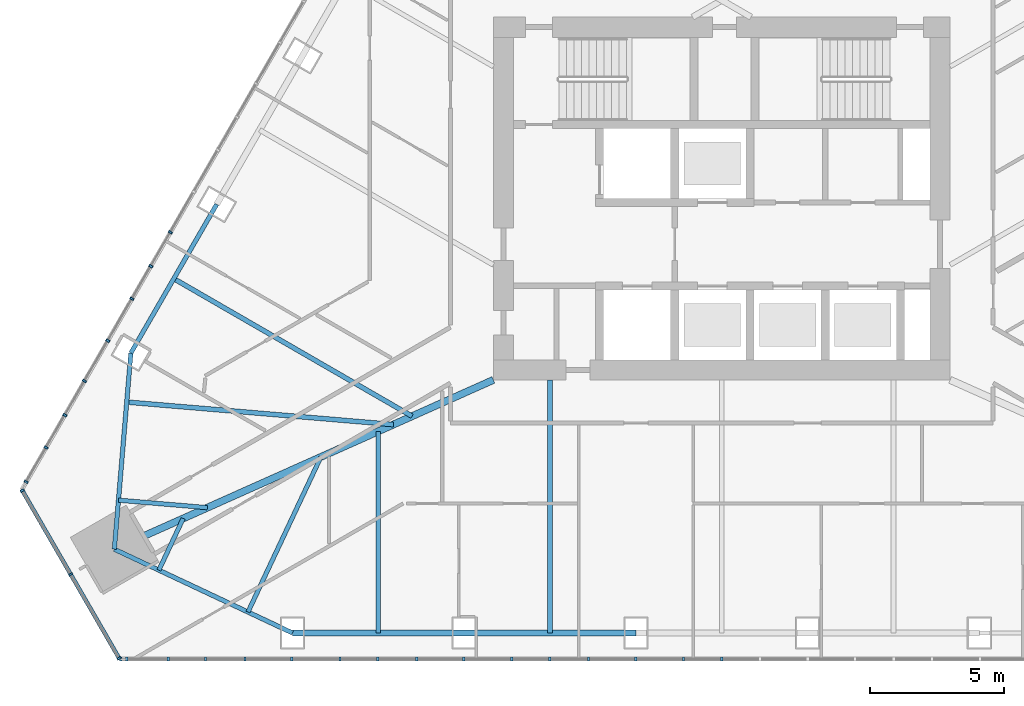
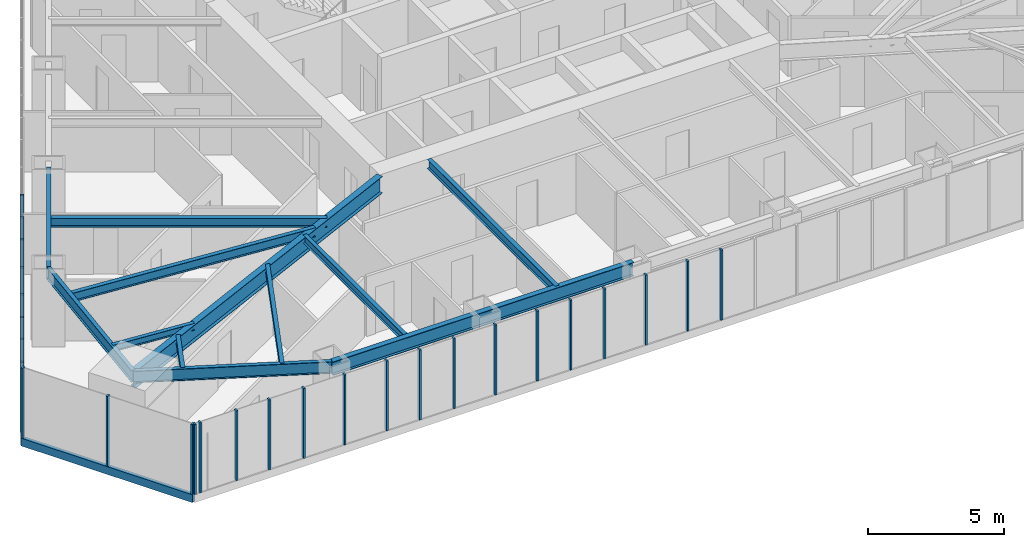
# One storey, part 2 of 21: 28 members, 12 beams, 3 elements without a shape of their own.
"""IFC4 building model written with IfcOpenShell, lengths in metres."""

import ifcopenshell
import ifcopenshell.guid

model = None  # the IFC model being written
_history = None  # IfcOwnerHistory: only IFC2X3 demands one
_inside = {}  # id of a spatial element -> (the spatial element, [elements in it])
_under = {}  # id of a project, library or spatial element -> (it, [spatial elements below it])
_declared = {}  # id of a project -> (the project, [libraries it declares])
_typed = {}  # id of a type object -> (the type object, [elements of that type])
_made_of = {}  # id of a material, layer set ... -> (it, [elements and type objects made of it])


def new_model(schema):
    """Start an empty IFC model of exactly this schema.

    Asked for "IFC4X3", IfcOpenShell would pick the latest addendum, in which some entities
    have other attributes; the version numbers below select the first issue.
    IFC2X3 requires an IfcOwnerHistory on every rooted entity: one is made here for all.
    """
    global model, _history
    if schema == "IFC4X3":
        model = ifcopenshell.file(schema_version=(4, 3, 0, 0))
    else:
        model = ifcopenshell.file(schema=schema)
    _inside.clear()
    _under.clear()
    _declared.clear()
    _typed.clear()
    _made_of.clear()
    _history = None
    if model.schema == "IFC2X3":
        org = make("IfcOrganization", Name="unknown")
        user = make(
            "IfcPersonAndOrganization",
            ThePerson=make("IfcPerson", FamilyName="unknown"),
            TheOrganization=org,
        )
        app = make(
            "IfcApplication",
            ApplicationDeveloper=org,
            Version="unknown",
            ApplicationFullName="unknown",
            ApplicationIdentifier="unknown",
        )
        _history = make(
            "IfcOwnerHistory",
            OwningUser=user,
            OwningApplication=app,
            ChangeAction="ADDED",
            CreationDate=0,
        )
    return model


def make(cls, **values):
    """One entity of the class cls with the attributes given. An attribute that is None is left unset."""
    return model.create_entity(
        cls, **{name: value for name, value in values.items() if value is not None}
    )


def rooted(cls, **values):
    """An entity with a GlobalId (a new one), such as an element, a storey or a relation."""
    return make(cls, GlobalId=ifcopenshell.guid.new(), OwnerHistory=_history, **values)


def si_unit(unit_type, name, prefix=None):
    """IfcSIUnit, for example si_unit("LENGTHUNIT", "METRE", prefix="MILLI")."""
    return make("IfcSIUnit", UnitType=unit_type, Prefix=prefix, Name=name)


def assignment(units):
    """IfcUnitAssignment: the units of a project."""
    return None if units is None else make("IfcUnitAssignment", Units=units)


def point(xyz):
    """IfcCartesianPoint."""
    return None if xyz is None else make("IfcCartesianPoint", Coordinates=xyz)


def direction(xyz):
    """IfcDirection."""
    return None if xyz is None else make("IfcDirection", DirectionRatios=xyz)


def frame(location, z_axis=None, x_axis=None):
    """IfcAxis2Placement3D, a coordinate frame: its origin and axes. An axis left out is left unset."""
    return make(
        "IfcAxis2Placement3D",
        Location=point(location),
        Axis=direction(z_axis),
        RefDirection=direction(x_axis),
    )


def frame_2d(location, x_axis=None):
    """IfcAxis2Placement2D, a coordinate frame in the plane: its origin and x axis."""
    return make(
        "IfcAxis2Placement2D", Location=point(location), RefDirection=direction(x_axis)
    )


def origin():
    """The frame at (0, 0, 0) with its axes left unset."""
    return frame((0.0, 0.0, 0.0))


def origin_2d():
    """The frame at (0, 0) in the plane with its x axis left unset."""
    return frame_2d((0.0, 0.0))


def place(relative_to, where):
    """IfcLocalPlacement: puts the frame where relative to a parent placement (None: the world)."""
    return make(
        "IfcLocalPlacement", PlacementRelTo=relative_to, RelativePlacement=where
    )


def context(
    kind, dimensions, precision=None, world=None, true_north=None, identifier=None
):
    """IfcGeometricRepresentationContext, for example the 3D "Model" context."""
    return make(
        "IfcGeometricRepresentationContext",
        ContextIdentifier=identifier,
        ContextType=kind,
        CoordinateSpaceDimension=dimensions,
        Precision=precision,
        WorldCoordinateSystem=world,
        TrueNorth=true_north,
    )


def subcontext(parent, identifier, kind, view, scale=None):
    """IfcGeometricRepresentationSubContext, for example "Body" below "Model"."""
    return make(
        "IfcGeometricRepresentationSubContext",
        ContextIdentifier=identifier,
        ContextType=kind,
        ParentContext=parent,
        TargetScale=scale,
        TargetView=view,
    )


def project(units=None, contexts=None):
    """IfcProject with its units and contexts."""
    return rooted(
        "IfcProject",
        Name="project",
        RepresentationContexts=contexts,
        UnitsInContext=assignment(units),
    )


def spatial(cls, under=None, at=None, **own):
    """A site, building, storey or space (cls), placed at a placement, below another one or the project."""
    s = rooted(cls, ObjectPlacement=at, **own)
    if under is not None:
        _under.setdefault(under.id(), (under, []))[1].append(s)
    return s


def profile(cls, at=None, kind="AREA", **sizes):
    """A parametric profile (cls). Its sizes go by their IFC names, for example OverallWidth=200.0."""
    return make(cls, ProfileType=kind, Position=at, **sizes)


def rectangle(**sizes):
    """IfcRectangleProfileDef."""
    return profile("IfcRectangleProfileDef", **sizes)


def i_section(**sizes):
    """IfcIShapeProfileDef."""
    return profile("IfcIShapeProfileDef", **sizes)


def extrude(swept, where, along, depth):
    """IfcExtrudedAreaSolid: the profile swept, set in the frame where, extruded along a direction by depth."""
    return make(
        "IfcExtrudedAreaSolid",
        SweptArea=swept,
        Position=where,
        ExtrudedDirection=direction(along),
        Depth=depth,
    )


def shape(context_of_items, identifier, shape_type, items):
    """IfcShapeRepresentation: the items that make up one representation, for example the "Body"."""
    return make(
        "IfcShapeRepresentation",
        ContextOfItems=context_of_items,
        RepresentationIdentifier=identifier,
        RepresentationType=shape_type,
        Items=items,
    )


def material(Name=None, Category=None):
    """IfcMaterial."""
    return make("IfcMaterial", Name=Name, Category=Category)


def layer(
    of_material, thickness, ventilated=None, Name=None, Category=None, Priority=None
):
    """IfcMaterialLayer: one layer of a wall or slab, of a material (None: an air gap)."""
    return make(
        "IfcMaterialLayer",
        Material=of_material,
        LayerThickness=thickness,
        IsVentilated=ventilated,
        Name=Name,
        Category=Category,
        Priority=Priority,
    )


def layer_set(layers, Name=None):
    """IfcMaterialLayerSet."""
    return make("IfcMaterialLayerSet", MaterialLayers=layers, LayerSetName=Name)


def material_profile(
    of_material, cross_section, Name=None, Category=None, Priority=None
):
    """IfcMaterialProfile: a cross section and its material."""
    return make(
        "IfcMaterialProfile",
        Name=Name,
        Material=of_material,
        Profile=cross_section,
        Priority=Priority,
        Category=Category,
    )


def profile_set(profiles, Name=None, composite=None):
    """IfcMaterialProfileSet."""
    return make(
        "IfcMaterialProfileSet",
        Name=Name,
        MaterialProfiles=profiles,
        CompositeProfile=composite,
    )


def made_of(thing, what):
    """Note that an element or type object is made of a material, layer set ...; save() writes the relation."""
    if what is not None:
        _made_of.setdefault(what.id(), (what, []))[1].append(thing)
    return thing


def type_object(cls, material=None, **own):
    """A type object (cls), such as IfcWallType, which elements share."""
    return made_of(rooted(cls, **own), material)


def element(
    cls,
    number,
    at=None,
    inside=None,
    cuts=None,
    type_object=None,
    material=None,
    context=None,
    identifier="Body",
    shape_type=None,
    held_by="IfcProductDefinitionShape",
    body=None,
    shapes=None,
    **own,
):
    """One element of the class cls, such as IfcWall. Its Tag is "e" and its number.

    at: its placement. inside: the storey or other place that contains it. cuts: it is an
    opening in that element (IfcRelVoidsElement). A single representation is given by context,
    identifier, shape_type and body (its items); several are given by shapes. held_by: the class
    of the entity that holds the representations. save() writes the other relations.
    """
    e = rooted(cls, Tag="e%d" % number, ObjectPlacement=at, **own)
    if body is not None:
        shapes = [shape(context, identifier, shape_type, body)]
    if shapes is not None:
        e.Representation = make(held_by, Representations=shapes)
    if inside is not None:
        _inside.setdefault(inside.id(), (inside, []))[1].append(e)
    if cuts is not None:
        rooted(
            "IfcRelVoidsElement", RelatingBuildingElement=cuts, RelatedOpeningElement=e
        )
    if type_object is not None:
        _typed.setdefault(type_object.id(), (type_object, []))[1].append(e)
    return made_of(e, material)


def aggregate(whole, parts):
    """IfcRelAggregates: a whole, such as a stair, and the parts it consists of."""
    return rooted("IfcRelAggregates", RelatingObject=whole, RelatedObjects=parts)


def save(model, path):
    """Write the relations noted so far, then the file.

    IfcRelAggregates (storeys below a building ...), IfcRelContainedInSpatialStructure (elements
    in a storey), IfcRelDefinesByType, IfcRelAssociatesMaterial and IfcRelDeclares: one each for
    every whole, place, type object, material and project.
    """
    for whole, parts in _under.values():
        aggregate(whole, parts)
    for where, things in _inside.values():
        rooted(
            "IfcRelContainedInSpatialStructure",
            RelatedElements=things,
            RelatingStructure=where,
        )
    for kind, things in _typed.values():
        rooted("IfcRelDefinesByType", RelatedObjects=things, RelatingType=kind)
    for what, things in _made_of.values():
        rooted("IfcRelAssociatesMaterial", RelatedObjects=things, RelatingMaterial=what)
    for by, libraries in _declared.values():
        rooted("IfcRelDeclares", RelatingContext=by, RelatedDefinitions=libraries)
    model.write(path)


model = new_model("IFC4")

# Units and contexts
model_context = context("Model", 3, precision=1e-05, world=origin(), true_north=direction((0.0, 1.0)))
body_context = subcontext(model_context, "Body", "Model", "MODEL_VIEW")
ifc_project = project(units=[si_unit("LENGTHUNIT", "METRE"), si_unit("AREAUNIT", "SQUARE_METRE"), si_unit("VOLUMEUNIT", "CUBIC_METRE"), si_unit("PLANEANGLEUNIT", "RADIAN"), si_unit("MASSUNIT", "GRAM", prefix="KILO")], contexts=[model_context])

# Site, building, storey
site_placement = place(None, origin())
site = spatial("IfcSite", under=ifc_project, at=site_placement, CompositionType="ELEMENT")
building_placement = place(site_placement, origin())
building = spatial("IfcBuilding", under=site, at=building_placement, Name="Firuza Gate Tower and Library", CompositionType="ELEMENT")
storey_placement = place(building_placement, frame((0.0, 0.0, 284.60009765625)))
storey = spatial("IfcBuildingStorey", under=building, at=storey_placement, Name="L68", CompositionType="ELEMENT", Elevation=284.60009765625)

# Curtain wall, members
ifc_material_1 = material(Name="Aluminium 6063-T6", Category="aluminium")
ifc_layer_1 = layer(ifc_material_1, 0.14990234375)
ifc_layer_set_1 = layer_set([ifc_layer_1], Name="Unitised curtain wall, residences")
curtain_wall_type_1 = type_object("IfcCurtainWallType", Name="Unitised curtain wall, residences", PredefinedType="NOTDEFINED", material=ifc_layer_set_1)
placement = place(storey_placement, origin())
curtain_wall_1 = element("IfcCurtainWall", 1, at=placement, inside=storey, type_object=curtain_wall_type_1, Name="CW3 L68 S face", PredefinedType="NOTDEFINED")
ifc_material_2 = material(Name="Aluminium 6063-T6", Category="aluminium")
ifc_material_profile_1 = material_profile(ifc_material_2, rectangle(XDim=0.14990234375, YDim=0.080078125, at=origin_2d()))
ifc_profile_set_1 = profile_set([ifc_material_profile_1], Name="Aluminium 6063-T6")
member_type_1 = type_object("IfcMemberType", Name="Curtain wall mullion 80x150", PredefinedType="MULLION", material=ifc_profile_set_1)
member_1_placement = place(storey_placement, frame((52.634033203125, 57.85693359375, 0.14990234375), z_axis=(0.0, 0.0, 1.0), x_axis=(0.0, 1.0, 0.0)))
member_1 = element("IfcMember", 2, at=member_1_placement, type_object=member_type_1, Name="Mullion", PredefinedType="MULLION", context=body_context, shape_type="SweptSolid", body=[
    extrude(rectangle(XDim=0.14990234375, YDim=0.080078125, at=origin_2d()), origin(), (0.0, 0.0, 1.0), 3.14990234375),
])
member_2_placement = place(storey_placement, frame((55.794921875, 57.85693359375, 0.14990234375), z_axis=(0.0, 0.0, 1.0), x_axis=(0.0, 1.0, 0.0)))
member_2 = element("IfcMember", 3, at=member_2_placement, type_object=member_type_1, Name="Mullion", PredefinedType="MULLION", context=body_context, shape_type="SweptSolid", body=[
    extrude(rectangle(XDim=0.14990234375, YDim=0.080078125, at=origin_2d()), origin(), (0.0, 0.0, 1.0), 3.14990234375),
])
member_3_placement = place(storey_placement, frame((58.995849609375, 57.85693359375, 0.14990234375), z_axis=(0.0, 0.0, 1.0), x_axis=(0.0, 1.0, 0.0)))
member_3 = element("IfcMember", 4, at=member_3_placement, type_object=member_type_1, Name="Mullion", PredefinedType="MULLION", context=body_context, shape_type="SweptSolid", body=[
    extrude(rectangle(XDim=0.14990234375, YDim=0.080078125, at=origin_2d()), origin(), (0.0, 0.0, 1.0), 3.14990234375),
])
member_4_placement = place(storey_placement, frame((62.196533203125, 57.85693359375, 0.14990234375), z_axis=(0.0, 0.0, 1.0), x_axis=(0.0, 1.0, 0.0)))
member_4 = element("IfcMember", 5, at=member_4_placement, type_object=member_type_1, Name="Mullion", PredefinedType="MULLION", context=body_context, shape_type="SweptSolid", body=[
    extrude(rectangle(XDim=0.14990234375, YDim=0.080078125, at=origin_2d()), origin(), (0.0, 0.0, 1.0), 3.14990234375),
])
member_5_placement = place(storey_placement, frame((65.3974609375, 57.85693359375, 0.14990234375), z_axis=(0.0, 0.0, 1.0), x_axis=(0.0, 1.0, 0.0)))
member_5 = element("IfcMember", 6, at=member_5_placement, type_object=member_type_1, Name="Mullion", PredefinedType="MULLION", context=body_context, shape_type="SweptSolid", body=[
    extrude(rectangle(XDim=0.14990234375, YDim=0.080078125, at=origin_2d()), origin(), (0.0, 0.0, 1.0), 3.14990234375),
])
member_6_placement = place(storey_placement, frame((68.598388671875, 57.85693359375, 0.14990234375), z_axis=(0.0, 0.0, 1.0), x_axis=(0.0, 1.0, 0.0)))
member_6 = element("IfcMember", 7, at=member_6_placement, type_object=member_type_1, Name="Mullion", PredefinedType="MULLION", context=body_context, shape_type="SweptSolid", body=[
    extrude(rectangle(XDim=0.14990234375, YDim=0.080078125, at=origin_2d()), origin(), (0.0, 0.0, 1.0), 3.14990234375),
])
member_7_placement = place(storey_placement, frame((71.799072265625, 57.85693359375, 0.14990234375), z_axis=(0.0, 0.0, 1.0), x_axis=(0.0, 1.0, 0.0)))
member_7 = element("IfcMember", 8, at=member_7_placement, type_object=member_type_1, Name="Mullion", PredefinedType="MULLION", context=body_context, shape_type="SweptSolid", body=[
    extrude(rectangle(XDim=0.14990234375, YDim=0.080078125, at=origin_2d()), origin(), (0.0, 0.0, 1.0), 3.14990234375),
])
member_8_placement = place(storey_placement, frame((75.0, 57.85693359375, 0.14990234375), z_axis=(0.0, 0.0, 1.0), x_axis=(0.0, 1.0, 0.0)))
member_8 = element("IfcMember", 9, at=member_8_placement, type_object=member_type_1, Name="Mullion", PredefinedType="MULLION", context=body_context, shape_type="SweptSolid", body=[
    extrude(rectangle(XDim=0.14990234375, YDim=0.080078125, at=origin_2d()), origin(), (0.0, 0.0, 1.0), 3.14990234375),
])
member_9_placement = place(storey_placement, frame((52.860107421875, 57.85693359375, 0.14990234375), z_axis=(0.0, 0.0, 1.0), x_axis=(0.0, 1.0, 0.0)))
member_9 = element("IfcMember", 10, at=member_9_placement, type_object=member_type_1, Name="Mullion", PredefinedType="MULLION", context=body_context, shape_type="SweptSolid", body=[
    extrude(rectangle(XDim=0.14990234375, YDim=0.080078125, at=origin_2d()), origin(), (0.0, 0.0, 1.0), 3.14990234375),
])
member_10_placement = place(storey_placement, frame((54.403564453125, 57.85693359375, 0.14990234375), z_axis=(0.0, 0.0, 1.0), x_axis=(0.0, 1.0, 0.0)))
member_10 = element("IfcMember", 11, at=member_10_placement, type_object=member_type_1, Name="Mullion", PredefinedType="MULLION", context=body_context, shape_type="SweptSolid", body=[
    extrude(rectangle(XDim=0.14990234375, YDim=0.080078125, at=origin_2d()), origin(), (0.0, 0.0, 1.0), 3.14990234375),
])
member_11_placement = place(storey_placement, frame((57.26025390625, 57.85693359375, 0.14990234375), z_axis=(0.0, 0.0, 1.0), x_axis=(0.0, 1.0, 0.0)))
member_11 = element("IfcMember", 12, at=member_11_placement, type_object=member_type_1, Name="Mullion", PredefinedType="MULLION", context=body_context, shape_type="SweptSolid", body=[
    extrude(rectangle(XDim=0.14990234375, YDim=0.080078125, at=origin_2d()), origin(), (0.0, 0.0, 1.0), 3.14990234375),
])
member_12_placement = place(storey_placement, frame((60.79296875, 57.85693359375, 0.14990234375), z_axis=(0.0, 0.0, 1.0), x_axis=(0.0, 1.0, 0.0)))
member_12 = element("IfcMember", 13, at=member_12_placement, type_object=member_type_1, Name="Mullion", PredefinedType="MULLION", context=body_context, shape_type="SweptSolid", body=[
    extrude(rectangle(XDim=0.14990234375, YDim=0.080078125, at=origin_2d()), origin(), (0.0, 0.0, 1.0), 3.14990234375),
])
member_13_placement = place(storey_placement, frame((63.649658203125, 57.85693359375, 0.14990234375), z_axis=(0.0, 0.0, 1.0), x_axis=(0.0, 1.0, 0.0)))
member_13 = element("IfcMember", 14, at=member_13_placement, type_object=member_type_1, Name="Mullion", PredefinedType="MULLION", context=body_context, shape_type="SweptSolid", body=[
    extrude(rectangle(XDim=0.14990234375, YDim=0.080078125, at=origin_2d()), origin(), (0.0, 0.0, 1.0), 3.14990234375),
])
member_14_placement = place(storey_placement, frame((67.182373046875, 57.85693359375, 0.14990234375), z_axis=(0.0, 0.0, 1.0), x_axis=(0.0, 1.0, 0.0)))
member_14 = element("IfcMember", 15, at=member_14_placement, type_object=member_type_1, Name="Mullion", PredefinedType="MULLION", context=body_context, shape_type="SweptSolid", body=[
    extrude(rectangle(XDim=0.14990234375, YDim=0.080078125, at=origin_2d()), origin(), (0.0, 0.0, 1.0), 3.14990234375),
])
member_15_placement = place(storey_placement, frame((70.0390625, 57.85693359375, 0.14990234375), z_axis=(0.0, 0.0, 1.0), x_axis=(0.0, 1.0, 0.0)))
member_15 = element("IfcMember", 16, at=member_15_placement, type_object=member_type_1, Name="Mullion", PredefinedType="MULLION", context=body_context, shape_type="SweptSolid", body=[
    extrude(rectangle(XDim=0.14990234375, YDim=0.080078125, at=origin_2d()), origin(), (0.0, 0.0, 1.0), 3.14990234375),
])
member_16_placement = place(storey_placement, frame((73.57177734375, 57.85693359375, 0.14990234375), z_axis=(0.0, 0.0, 1.0), x_axis=(0.0, 1.0, 0.0)))
member_16 = element("IfcMember", 17, at=member_16_placement, type_object=member_type_1, Name="Mullion", PredefinedType="MULLION", context=body_context, shape_type="SweptSolid", body=[
    extrude(rectangle(XDim=0.14990234375, YDim=0.080078125, at=origin_2d()), origin(), (0.0, 0.0, 1.0), 3.14990234375),
])
aggregate(curtain_wall_1, [member_1, member_2, member_3, member_4, member_5, member_6, member_7, member_8, member_9, member_10, member_11, member_12, member_13, member_14, member_15, member_16])

curtain_wall_2 = element("IfcCurtainWall", 18, at=placement, inside=storey, type_object=curtain_wall_type_1, Name="CW3 L68 W face", PredefinedType="NOTDEFINED")
member_17_placement = place(storey_placement, frame((53.751953125, 72.4833984375, 0.14990234375), z_axis=(0.0, 0.0, 1.0), x_axis=(0.866025403784, -0.5, 0.0)))
member_17 = element("IfcMember", 19, at=member_17_placement, type_object=member_type_1, Name="Mullion", PredefinedType="MULLION", context=body_context, shape_type="SweptSolid", body=[
    extrude(rectangle(XDim=0.14990234375, YDim=0.080078125, at=origin_2d()), origin(), (0.0, 0.0, 1.0), 3.14990234375),
])
member_18_placement = place(storey_placement, frame((52.151611328125, 69.71142578125, 0.14990234375), z_axis=(0.0, 0.0, 1.0), x_axis=(0.866025403784, -0.5, 0.0)))
member_18 = element("IfcMember", 20, at=member_18_placement, type_object=member_type_1, Name="Mullion", PredefinedType="MULLION", context=body_context, shape_type="SweptSolid", body=[
    extrude(rectangle(XDim=0.14990234375, YDim=0.080078125, at=origin_2d()), origin(), (0.0, 0.0, 1.0), 3.14990234375),
])
member_19_placement = place(storey_placement, frame((50.55126953125, 66.939453125, 0.14990234375), z_axis=(0.0, 0.0, 1.0), x_axis=(0.866025403784, -0.5, 0.0)))
member_19 = element("IfcMember", 21, at=member_19_placement, type_object=member_type_1, Name="Mullion", PredefinedType="MULLION", context=body_context, shape_type="SweptSolid", body=[
    extrude(rectangle(XDim=0.14990234375, YDim=0.080078125, at=origin_2d()), origin(), (0.0, 0.0, 1.0), 3.14990234375),
])
member_20_placement = place(storey_placement, frame((54.478515625, 73.74169921875, 0.14990234375), z_axis=(0.0, 0.0, 1.0), x_axis=(0.866025403784, -0.5, 0.0)))
member_20 = element("IfcMember", 22, at=member_20_placement, type_object=member_type_1, Name="Mullion", PredefinedType="MULLION", context=body_context, shape_type="SweptSolid", body=[
    extrude(rectangle(XDim=0.14990234375, YDim=0.080078125, at=origin_2d()), origin(), (0.0, 0.0, 1.0), 3.14990234375),
])
member_21_placement = place(storey_placement, frame((53.05029296875, 71.267822265625, 0.14990234375), z_axis=(0.0, 0.0, 1.0), x_axis=(0.866025403784, -0.5, 0.0)))
member_21 = element("IfcMember", 23, at=member_21_placement, type_object=member_type_1, Name="Mullion", PredefinedType="MULLION", context=body_context, shape_type="SweptSolid", body=[
    extrude(rectangle(XDim=0.14990234375, YDim=0.080078125, at=origin_2d()), origin(), (0.0, 0.0, 1.0), 3.14990234375),
])
member_22_placement = place(storey_placement, frame((51.283935546875, 68.20849609375, 0.14990234375), z_axis=(0.0, 0.0, 1.0), x_axis=(0.866025403784, -0.5, 0.0)))
member_22 = element("IfcMember", 24, at=member_22_placement, type_object=member_type_1, Name="Mullion", PredefinedType="MULLION", context=body_context, shape_type="SweptSolid", body=[
    extrude(rectangle(XDim=0.14990234375, YDim=0.080078125, at=origin_2d()), origin(), (0.0, 0.0, 1.0), 3.14990234375),
])
member_23_placement = place(storey_placement, frame((49.85546875, 65.734619140625, 0.14990234375), z_axis=(0.0, 0.0, 1.0), x_axis=(0.866025403784, -0.5, 0.0)))
member_23 = element("IfcMember", 25, at=member_23_placement, type_object=member_type_1, Name="Mullion", PredefinedType="MULLION", context=body_context, shape_type="SweptSolid", body=[
    extrude(rectangle(XDim=0.14990234375, YDim=0.080078125, at=origin_2d()), origin(), (0.0, 0.0, 1.0), 3.14990234375),
])
member_24_placement = place(storey_placement, frame((49.1162109375, 64.4541015625, 0.14990234375), z_axis=(0.0, 0.0, 1.0), x_axis=(0.866025403784, -0.5, 0.0)))
member_24 = element("IfcMember", 26, at=member_24_placement, type_object=member_type_1, Name="Mullion", PredefinedType="MULLION", context=body_context, shape_type="SweptSolid", body=[
    extrude(rectangle(XDim=0.14990234375, YDim=0.080078125, at=origin_2d()), origin(), (0.0, 0.0, 1.0), 3.14990234375),
])
aggregate(curtain_wall_2, [member_17, member_18, member_19, member_20, member_21, member_22, member_23, member_24])

ifc_material_3 = material(Name="Aluminium 6063-T6", Category="aluminium")
ifc_layer_2 = layer(ifc_material_3, 0.14990234375)
ifc_layer_set_2 = layer_set([ifc_layer_2], Name="Corner curtain wall, chamfers")
curtain_wall_type_2 = type_object("IfcCurtainWallType", Name="Corner curtain wall, chamfers", PredefinedType="NOTDEFINED", material=ifc_layer_set_2)
curtain_wall_3 = element("IfcCurtainWall", 27, at=placement, inside=storey, type_object=curtain_wall_type_2, Name="CW4 L68 SW corner", PredefinedType="NOTDEFINED")
member_25_placement = place(storey_placement, frame((48.970703125, 64.1328125, 0.14990234375), z_axis=(0.0, 0.0, 1.0), x_axis=(0.866025403784, 0.5, 0.0)))
member_25 = element("IfcMember", 28, at=member_25_placement, type_object=member_type_1, Name="Mullion", PredefinedType="MULLION", context=body_context, shape_type="SweptSolid", body=[
    extrude(rectangle(XDim=0.14990234375, YDim=0.080078125, at=origin_2d()), origin(), (0.0, 0.0, 1.0), 3.14990234375),
])
member_26_placement = place(storey_placement, frame((50.7724609375, 61.01220703125, 0.14990234375), z_axis=(0.0, 0.0, 1.0), x_axis=(0.866025403784, 0.5, 0.0)))
member_26 = element("IfcMember", 29, at=member_26_placement, type_object=member_type_1, Name="Mullion", PredefinedType="MULLION", context=body_context, shape_type="SweptSolid", body=[
    extrude(rectangle(XDim=0.14990234375, YDim=0.080078125, at=origin_2d()), origin(), (0.0, 0.0, 1.0), 3.14990234375),
])
member_27_placement = place(storey_placement, frame((52.573974609375, 57.8916015625, 0.14990234375), z_axis=(0.0, 0.0, 1.0), x_axis=(0.866025403784, 0.5, 0.0)))
member_27 = element("IfcMember", 30, at=member_27_placement, type_object=member_type_1, Name="Mullion", PredefinedType="MULLION", context=body_context, shape_type="SweptSolid", body=[
    extrude(rectangle(XDim=0.14990234375, YDim=0.080078125, at=origin_2d()), origin(), (0.0, 0.0, 1.0), 3.14990234375),
])
ifc_material_4 = material(Name="Aluminium 6063-T6", Category="aluminium")
ifc_material_profile_2 = material_profile(ifc_material_4, rectangle(XDim=0.14990234375, YDim=0.35009765625, at=origin_2d()))
ifc_profile_set_2 = profile_set([ifc_material_profile_2], Name="Aluminium 6063-T6")
member_type_2 = type_object("IfcMemberType", Name="Curtain wall transom 350x150", PredefinedType="USERDEFINED", material=ifc_profile_set_2)
member_28_placement = place(storey_placement, frame((48.95068359375, 64.16748046875, -0.025146484375), z_axis=(0.499991211061, -0.866030478021, 0.0), x_axis=(0.866030478021, 0.499991211061, 0.0)))
member_28 = element("IfcMember", 31, at=member_28_placement, type_object=member_type_2, Name="Transom", ObjectType="TRANSOM", PredefinedType="USERDEFINED", context=body_context, shape_type="SweptSolid", body=[
    extrude(rectangle(XDim=0.14990234375, YDim=0.35009765625, at=origin_2d()), origin(), (0.0, 0.0, 1.0), 7.286865234375),
])
aggregate(curtain_wall_3, [member_25, member_26, member_27, member_28])

# Beams
ifc_material_5 = material(Name="Steel S355", Category="steel")
ifc_material_profile_3 = material_profile(ifc_material_5, i_section(OverallWidth=0.1650390625, OverallDepth=0.31005859375, WebThickness=0.005859375, FlangeThickness=0.009765625, at=origin_2d()))
ifc_profile_set_3 = profile_set([ifc_material_profile_3], Name="Steel S355")
beam_type_1 = type_object("IfcBeamType", Name="W310x39 Floor beam", PredefinedType="JOIST", material=ifc_profile_set_3)
beam_1_placement = place(storey_placement, frame((52.550048828125, 63.77490234375, 3.14501953125), z_axis=(0.996467212931, -0.083982697946, 0.0), x_axis=(0.083982697946, 0.996467212931, 0.0)))
element("IfcBeam", 32, at=beam_1_placement, inside=storey, type_object=beam_type_1, Name="Floor beam L68 s01", PredefinedType="JOIST", context=body_context, shape_type="SweptSolid", body=[
    extrude(i_section(OverallWidth=0.1650390625, OverallDepth=0.31005859375, WebThickness=0.005859375, FlangeThickness=0.009765625, at=origin_2d()), origin(), (0.0, 0.0, 1.0), 3.31982421875),
])
beam_2_placement = place(storey_placement, frame((54.0537109375, 61.170166015625, 3.14501953125), z_axis=(0.425542647258, 0.904938371031, 0.0), x_axis=(-0.904938371031, 0.425542647258, 0.0)))
element("IfcBeam", 33, at=beam_2_placement, inside=storey, type_object=beam_type_1, Name="Floor beam L68 s10", PredefinedType="JOIST", context=body_context, shape_type="SweptSolid", body=[
    extrude(i_section(OverallWidth=0.1650390625, OverallDepth=0.31005859375, WebThickness=0.005859375, FlangeThickness=0.009765625, at=origin_2d()), origin(), (0.0, 0.0, 1.0), 2.126220703125),
])
beam_3_placement = place(storey_placement, frame((57.369140625, 59.611328125, 3.14501953125), z_axis=(0.425479956194, 0.904967848532, 0.0), x_axis=(-0.904967848532, 0.425479956194, 0.0)))
element("IfcBeam", 34, at=beam_3_placement, inside=storey, type_object=beam_type_1, Name="Floor beam L68 s11", PredefinedType="JOIST", context=body_context, shape_type="SweptSolid", body=[
    extrude(i_section(OverallWidth=0.1650390625, OverallDepth=0.31005859375, WebThickness=0.005859375, FlangeThickness=0.009765625, at=origin_2d()), origin(), (0.0, 0.0, 1.0), 6.37841796875),
])
ifc_material_6 = material(Name="Steel S355", Category="steel")
ifc_material_profile_4 = material_profile(ifc_material_6, i_section(OverallWidth=0.1708984375, OverallDepth=0.35498046875, WebThickness=0.007080078125, FlangeThickness=0.01171875, at=origin_2d()))
ifc_profile_set_4 = profile_set([ifc_material_profile_4], Name="Steel S355")
beam_type_2 = type_object("IfcBeamType", Name="W360x51 Floor beam", PredefinedType="JOIST", material=ifc_profile_set_4)
beam_4_placement = place(storey_placement, frame((62.221435546875, 58.83203125, 3.122314453125), z_axis=(0.0, 1.0, 0.0), x_axis=(-1.0, 0.0, 0.0)))
element("IfcBeam", 35, at=beam_4_placement, inside=storey, type_object=beam_type_2, Name="Floor beam L68 s20", PredefinedType="JOIST", context=body_context, shape_type="SweptSolid", body=[
    extrude(i_section(OverallWidth=0.1708984375, OverallDepth=0.35498046875, WebThickness=0.007080078125, FlangeThickness=0.01171875, at=origin_2d()), origin(), (0.0, 0.0, 1.0), 7.506591796875),
])
ifc_material_7 = material(Name="Steel S355", Category="steel")
ifc_material_profile_5 = material_profile(ifc_material_7, i_section(OverallWidth=0.177978515625, OverallDepth=0.406982421875, WebThickness=0.0078125, FlangeThickness=0.0126953125, at=origin_2d()))
ifc_profile_set_5 = profile_set([ifc_material_profile_5], Name="Steel S355")
beam_type_3 = type_object("IfcBeamType", Name="W410x60 Floor beam", PredefinedType="JOIST", material=ifc_profile_set_5)
beam_5_placement = place(storey_placement, frame((52.857666015625, 67.425537109375, 3.096435546875), z_axis=(0.996467212931, -0.083982697946, 0.0), x_axis=(0.083982697946, 0.996467212931, 0.0)))
element("IfcBeam", 36, at=beam_5_placement, inside=storey, type_object=beam_type_3, Name="Floor beam L68 s00", PredefinedType="JOIST", context=body_context, shape_type="SweptSolid", body=[
    extrude(i_section(OverallWidth=0.177978515625, OverallDepth=0.406982421875, WebThickness=0.0078125, FlangeThickness=0.0126953125, at=origin_2d()), origin(), (0.0, 0.0, 1.0), 9.95947265625),
])
beam_6_placement = place(storey_placement, frame((68.610595703125, 58.83203125, 3.096435546875), z_axis=(0.0, 1.0, 0.0), x_axis=(-1.0, 0.0, 0.0)))
element("IfcBeam", 37, at=beam_6_placement, inside=storey, type_object=beam_type_3, Name="Floor beam L68 s21", PredefinedType="JOIST", context=body_context, shape_type="SweptSolid", body=[
    extrude(i_section(OverallWidth=0.177978515625, OverallDepth=0.406982421875, WebThickness=0.0078125, FlangeThickness=0.0126953125, at=origin_2d()), origin(), (0.0, 0.0, 1.0), 9.41796875),
])
beam_7_placement = place(storey_placement, frame((54.608642578125, 72.017333984375, 3.096435546875), z_axis=(0.866036270578, -0.499981177689, 0.0), x_axis=(0.499981177689, 0.866036270578, 0.0)))
element("IfcBeam", 38, at=beam_7_placement, inside=storey, type_object=beam_type_3, Name="Floor beam L68 s84", PredefinedType="JOIST", context=body_context, shape_type="SweptSolid", body=[
    extrude(i_section(OverallWidth=0.177978515625, OverallDepth=0.406982421875, WebThickness=0.0078125, FlangeThickness=0.0126953125, at=origin_2d()), origin(), (0.0, 0.0, 1.0), 10.23779296875),
])
ifc_material_8 = material(Name="Steel S355", Category="steel")
ifc_material_profile_6 = material_profile(ifc_material_8, i_section(OverallWidth=0.166015625, OverallDepth=0.534912109375, WebThickness=0.01025390625, FlangeThickness=0.0166015625, at=origin_2d()))
ifc_profile_set_6 = profile_set([ifc_material_profile_6], Name="Steel S355")
beam_type_4 = type_object("IfcBeamType", Name="W530x85 Edge beam", PredefinedType="SPANDREL", material=ifc_profile_set_6)
beam_8_placement = place(storey_placement, frame((53.011474609375, 69.250732421875, 3.032470703125), z_axis=(-0.083969243734, -0.996468346766, 0.0), x_axis=(0.996468346766, -0.083969243734, 0.0)))
element("IfcBeam", 39, at=beam_8_placement, inside=storey, type_object=beam_type_4, Name="Edge beam L68 e00", PredefinedType="SPANDREL", context=body_context, shape_type="SweptSolid", body=[
    extrude(i_section(OverallWidth=0.166015625, OverallDepth=0.534912109375, WebThickness=0.01025390625, FlangeThickness=0.0166015625, at=origin_2d()), origin(), (0.0, 0.0, 1.0), 7.326904296875),
])
beam_9_placement = place(storey_placement, frame((52.396240234375, 61.94970703125, 3.032470703125), z_axis=(0.904950057905, -0.425517793632, 0.0), x_axis=(0.425517793632, 0.904950057905, 0.0)))
element("IfcBeam", 40, at=beam_9_placement, inside=storey, type_object=beam_type_4, Name="Edge beam L68 e10", PredefinedType="SPANDREL", context=body_context, shape_type="SweptSolid", body=[
    extrude(i_section(OverallWidth=0.166015625, OverallDepth=0.534912109375, WebThickness=0.01025390625, FlangeThickness=0.0166015625, at=origin_2d()), origin(), (0.0, 0.0, 1.0), 7.32666015625),
])
beam_10_placement = place(storey_placement, frame((56.2060546875, 74.783935546875, 3.032470703125), z_axis=(-0.499998094172, -0.866026504112, 0.0), x_axis=(0.866026504112, -0.499998094172, 0.0)))
element("IfcBeam", 41, at=beam_10_placement, inside=storey, type_object=beam_type_4, Name="Edge beam L68 e84", PredefinedType="SPANDREL", context=body_context, shape_type="SweptSolid", body=[
    extrude(i_section(OverallWidth=0.166015625, OverallDepth=0.534912109375, WebThickness=0.01025390625, FlangeThickness=0.0166015625, at=origin_2d()), origin(), (0.0, 0.0, 1.0), 6.38916015625),
])
ifc_material_9 = material(Name="Steel S355", Category="steel")
ifc_material_profile_7 = material_profile(ifc_material_9, i_section(OverallWidth=0.22900390625, OverallDepth=0.612060546875, WebThickness=0.011962890625, FlangeThickness=0.01953125, at=origin_2d()))
ifc_profile_set_7 = profile_set([ifc_material_profile_7], Name="Steel S355")
beam_type_5 = type_object("IfcBeamType", Name="W610x125 Edge beam", PredefinedType="SPANDREL", material=ifc_profile_set_7)
beam_11_placement = place(storey_placement, frame((59.026611328125, 58.83203125, 2.993896484375), z_axis=(1.0, 0.0, 0.0), x_axis=(0.0, 1.0, 0.0)))
element("IfcBeam", 42, at=beam_11_placement, inside=storey, type_object=beam_type_5, Name="Edge beam L68 e20", PredefinedType="SPANDREL", context=body_context, shape_type="SweptSolid", body=[
    extrude(i_section(OverallWidth=0.22900390625, OverallDepth=0.612060546875, WebThickness=0.011962890625, FlangeThickness=0.01953125, at=origin_2d()), origin(), (0.0, 0.0, 1.0), 12.77880859375),
])
ifc_material_10 = material(Name="Steel S355", Category="steel")
ifc_material_profile_8 = material_profile(ifc_material_10, i_section(OverallWidth=0.264892578125, OverallDepth=0.7529296875, WebThickness=0.01318359375, FlangeThickness=0.01708984375, at=origin_2d()))
ifc_profile_set_8 = profile_set([ifc_material_profile_8], Name="Steel S355")
beam_type_6 = type_object("IfcBeamType", Name="W760x147 Girder", PredefinedType="BEAM", material=ifc_profile_set_8)
beam_12_placement = place(storey_placement, frame((52.396240234375, 61.94970703125, 2.92333984375), z_axis=(0.913042148656, 0.407865216435, 0.0), x_axis=(-0.407865216435, 0.913042148656, 0.0)))
element("IfcBeam", 43, at=beam_12_placement, inside=storey, type_object=beam_type_6, Name="Girder L68 gSW", PredefinedType="BEAM", context=body_context, shape_type="SweptSolid", body=[
    extrude(i_section(OverallWidth=0.264892578125, OverallDepth=0.7529296875, WebThickness=0.01318359375, FlangeThickness=0.01708984375, at=origin_2d()), origin(), (0.0, 0.0, 1.0), 15.447021484375),
])

save(model, "model.ifc")
